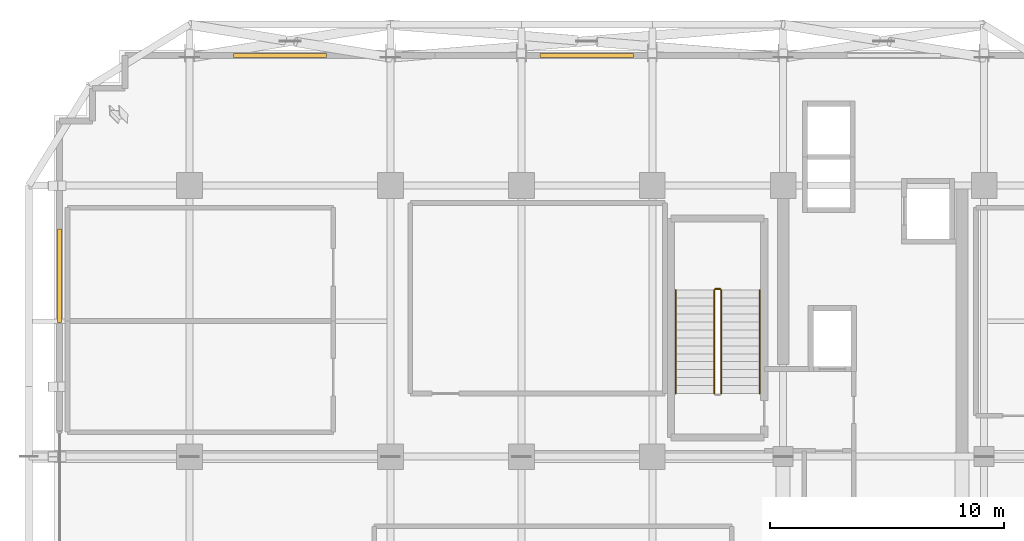
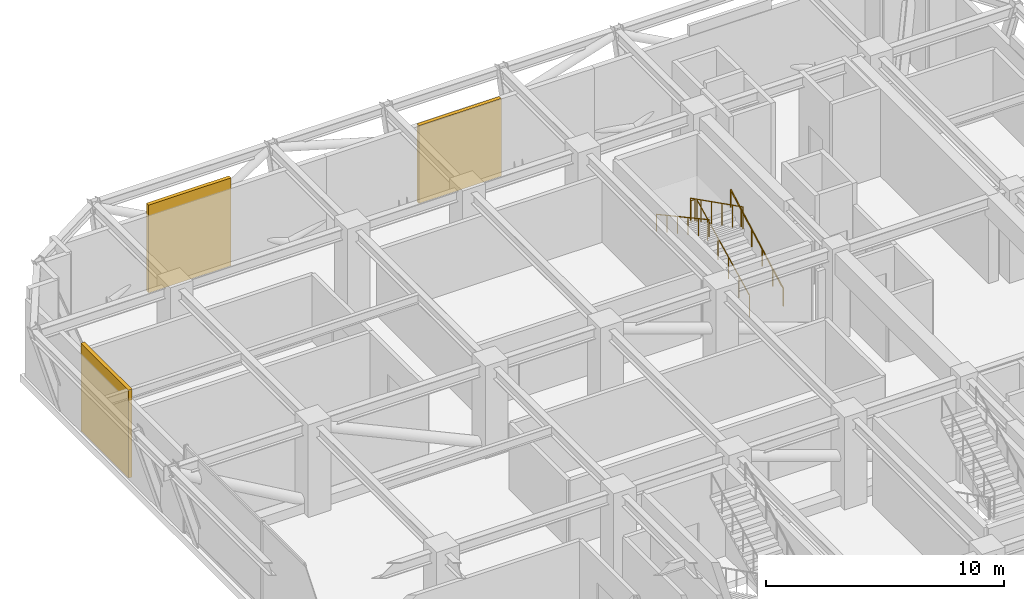
# One storey, part 15 of 16: 5 railings, 3 shading devices.
"""IFC4 building model written with IfcOpenShell, lengths in metres."""

from ifc_helpers import new_model, si_unit, direction, frame, origin, origin_2d, place, context, subcontext, project, spatial, rectangle, circle, extrude, source, transform, mapped, material, layer, layer_set, type_object, element, save


model = new_model("IFC4")

# Units and contexts
model_context = context("Model", 3, precision=1e-05, world=origin(), true_north=direction((0.0, 1.0)))
body_context = subcontext(model_context, "Body", "Model", "MODEL_VIEW")
ifc_project = project(units=[si_unit("LENGTHUNIT", "METRE"), si_unit("AREAUNIT", "SQUARE_METRE"), si_unit("VOLUMEUNIT", "CUBIC_METRE"), si_unit("PLANEANGLEUNIT", "RADIAN"), si_unit("MASSUNIT", "GRAM", prefix="KILO")], contexts=[model_context])

# Site, building, storey
site_placement = place(None, origin())
site = spatial("IfcSite", under=ifc_project, at=site_placement, CompositionType="ELEMENT")
building_placement = place(site_placement, origin())
building = spatial("IfcBuilding", under=site, at=building_placement, Name="Nahalor Promenade Grand Hotel", CompositionType="ELEMENT")
storey_placement = place(building_placement, frame((0.0, 0.0, 200.10009765625)))
storey = spatial("IfcBuildingStorey", under=building, at=storey_placement, Name="L51", CompositionType="ELEMENT", Elevation=200.10009765625)

# Railings
ifc_material_1 = material(Name="Steel S355JR", Category="steel")
railing_type_1 = type_object("IfcRailingType", Name="Steel Stair Guardrail 1150 mm", PredefinedType="GUARDRAIL", material=ifc_material_1)
railing_1_placement = place(storey_placement, frame((5.75, 8.10009765625, 0.17138671875)))
element("IfcRailing", 1, at=railing_1_placement, inside=storey, type_object=railing_type_1, Name="L51 ST1 stair guard 1", PredefinedType="GUARDRAIL", context=body_context, shape_type="SweptSolid", body=[
    extrude(circle(Radius=0.024048, at=origin_2d()), frame((0.0, 0.0, 1.1259765625), z_axis=(0.0, 0.89292277971, 0.450209850486), x_axis=(-1.0, 0.0, 0.0)), (0.0, 0.0, 1.0), 4.949951171875),
    extrude(circle(Radius=0.020996, at=origin_2d()), origin(), (0.0, 0.0, 1.0), 1.099853515625),
    extrude(circle(Radius=0.020996, at=origin_2d()), frame((0.0, 0.884033203125, 0.44580078125)), (0.0, 0.0, 1.0), 1.099853515625),
    extrude(circle(Radius=0.020996, at=origin_2d()), frame((0.0, 1.76806640625, 0.891357421875)), (0.0, 0.0, 1.0), 1.099853515625),
    extrude(circle(Radius=0.020996, at=origin_2d()), frame((0.0, 2.65185546875, 1.337158203125)), (0.0, 0.0, 1.0), 1.099853515625),
    extrude(circle(Radius=0.020996, at=origin_2d()), frame((0.0, 3.535888671875, 1.78271484375)), (0.0, 0.0, 1.0), 1.099853515625),
    extrude(circle(Radius=0.020996, at=origin_2d()), frame((0.0, 4.419921875, 2.228515625)), (0.0, 0.0, 1.0), 1.099853515625),
])
railing_2_placement = place(storey_placement, frame((5.699951171875, 12.570068359375, 2.39990234375)))
element("IfcRailing", 2, at=railing_2_placement, inside=storey, type_object=railing_type_1, Name="L51 ST1 stair guard 2", PredefinedType="GUARDRAIL", context=body_context, shape_type="SweptSolid", body=[
    extrude(circle(Radius=0.024048, at=origin_2d()), frame((0.0, 0.0, 1.1259765625), z_axis=(-1.0, 0.0, 0.0), x_axis=(0.0, -1.0, 0.0)), (0.0, 0.0, 1.0), 0.199951171875),
    extrude(circle(Radius=0.020996, at=origin_2d()), origin(), (0.0, 0.0, 1.0), 1.099853515625),
    extrude(circle(Radius=0.020996, at=origin_2d()), frame((-0.199951171875, 0.0, 0.0)), (0.0, 0.0, 1.0), 1.099853515625),
])
railing_3_placement = place(storey_placement, frame((5.449951171875, 12.52001953125, 2.5712890625)))
element("IfcRailing", 3, at=railing_3_placement, inside=storey, type_object=railing_type_1, Name="L51 ST1 stair guard 3", PredefinedType="GUARDRAIL", context=body_context, shape_type="SweptSolid", body=[
    extrude(circle(Radius=0.024048, at=origin_2d()), frame((0.0, 0.0, 1.1259765625), z_axis=(0.0, -0.89292277971, 0.450209850486), x_axis=(1.0, 0.0, 0.0)), (0.0, 0.0, 1.0), 4.949951171875),
    extrude(circle(Radius=0.020996, at=origin_2d()), origin(), (0.0, 0.0, 1.0), 1.099853515625),
    extrude(circle(Radius=0.020996, at=origin_2d()), frame((0.0, -0.884033203125, 0.44580078125)), (0.0, 0.0, 1.0), 1.099853515625),
    extrude(circle(Radius=0.020996, at=origin_2d()), frame((0.0, -1.76806640625, 0.891357421875)), (0.0, 0.0, 1.0), 1.099853515625),
    extrude(circle(Radius=0.020996, at=origin_2d()), frame((0.0, -2.65185546875, 1.337158203125)), (0.0, 0.0, 1.0), 1.099853515625),
    extrude(circle(Radius=0.020996, at=origin_2d()), frame((0.0, -3.535888671875, 1.78271484375)), (0.0, 0.0, 1.0), 1.099853515625),
    extrude(circle(Radius=0.020996, at=origin_2d()), frame((0.0, -4.419921875, 2.228515625)), (0.0, 0.0, 1.0), 1.099853515625),
])
railing_type_2 = type_object("IfcRailingType", Name="Steel Stair Handrail 900 mm", PredefinedType="HANDRAIL", material=ifc_material_1)
railing_4_placement = place(storey_placement, frame((7.39990234375, 8.10009765625, 0.17138671875)))
element("IfcRailing", 4, at=railing_4_placement, inside=storey, type_object=railing_type_2, Name="L51 ST1 stair handrail 1", PredefinedType="HANDRAIL", context=body_context, shape_type="SweptSolid", body=[
    extrude(circle(Radius=0.024048, at=origin_2d()), frame((0.0, 0.0, 0.8759765625), z_axis=(0.0, 0.878810394976, 0.477171132491), x_axis=(-1.0, 0.0, 0.0)), (0.0, 0.0, 1.0), 5.029541015625),
    extrude(circle(Radius=0.020996, at=origin_2d()), origin(), (0.0, 0.0, 1.0), 0.849853515625),
    extrude(circle(Radius=0.020996, at=origin_2d()), frame((0.0, 0.884033203125, 0.47998046875)), (0.0, 0.0, 1.0), 0.849853515625),
    extrude(circle(Radius=0.020996, at=origin_2d()), frame((0.0, 1.76806640625, 0.9599609375)), (0.0, 0.0, 1.0), 0.849853515625),
    extrude(circle(Radius=0.020996, at=origin_2d()), frame((0.0, 2.65185546875, 1.43994140625)), (0.0, 0.0, 1.0), 0.849853515625),
    extrude(circle(Radius=0.020996, at=origin_2d()), frame((0.0, 3.535888671875, 1.919921875)), (0.0, 0.0, 1.0), 0.849853515625),
    extrude(circle(Radius=0.020996, at=origin_2d()), frame((0.0, 4.419921875, 2.39990234375)), (0.0, 0.0, 1.0), 0.849853515625),
])
railing_5_placement = place(storey_placement, frame((3.800048828125, 12.52001953125, 2.5712890625)))
element("IfcRailing", 5, at=railing_5_placement, inside=storey, type_object=railing_type_2, Name="L51 ST1 stair handrail 2", PredefinedType="HANDRAIL", context=body_context, shape_type="SweptSolid", body=[
    extrude(circle(Radius=0.024048, at=origin_2d()), frame((0.0, 0.0, 0.8759765625), z_axis=(0.0, -0.878790038763, 0.477208620806), x_axis=(1.0, 0.0, 0.0)), (0.0, 0.0, 1.0), 5.029541015625),
    extrude(circle(Radius=0.020996, at=origin_2d()), origin(), (0.0, 0.0, 1.0), 0.849853515625),
    extrude(circle(Radius=0.020996, at=origin_2d()), frame((0.0, -0.884033203125, 0.47998046875)), (0.0, 0.0, 1.0), 0.849853515625),
    extrude(circle(Radius=0.020996, at=origin_2d()), frame((0.0, -1.76806640625, 0.9599609375)), (0.0, 0.0, 1.0), 0.849853515625),
    extrude(circle(Radius=0.020996, at=origin_2d()), frame((0.0, -2.65185546875, 1.440185546875)), (0.0, 0.0, 1.0), 0.849853515625),
    extrude(circle(Radius=0.020996, at=origin_2d()), frame((0.0, -3.535888671875, 1.920166015625)), (0.0, 0.0, 1.0), 0.849853515625),
    extrude(circle(Radius=0.020996, at=origin_2d()), frame((0.0, -4.419921875, 2.400146484375)), (0.0, 0.0, 1.0), 0.849853515625),
])

# Shading devices
ifc_material_2 = material(Name="Anodised Bronze Aluminium EN AW-6063 T6", Category="aluminium")
ifc_layer = layer(ifc_material_2, 0.179931640625)
ifc_layer_set = layer_set([ifc_layer], Name="Anodised Bronze Aluminium EN AW-6063 T6")
shading_device_type = type_object("IfcShadingDeviceType", Name="Shade-PlantLouvre-Bronze", PredefinedType="USERDEFINED", material=ifc_layer_set)
shared_shape_1 = source(origin(), body_context, "Body", "SweptSolid", [
    extrude(rectangle(XDim=4.0, YDim=0.179931640625, at=origin_2d()), origin(), (0.0, 0.0, 1.0), 4.510009765625),
])
for number, where, z_axis, x_axis, name in (
    (6, (-13.1298828125, 22.56005859375, 0.0), (0.0, 0.0, 1.0), (1.0, 0.0, 0.0), "LV-L51-NL"),
    (7, (-22.56005859375, 13.1298828125, 0.0), (0.0, 0.0, 1.0), (0.0, 1.0, 0.0), "LV-L51-WR"),
):
    element("IfcShadingDevice", number, at=place(storey_placement, frame(where, z_axis=z_axis, x_axis=x_axis)), inside=storey, type_object=shading_device_type, Name=name, ObjectType="LOUVRE", PredefinedType="USERDEFINED", context=body_context, shape_type="MappedRepresentation", body=[
        mapped(shared_shape_1, transform((0.0, 0.0, 0.0), scale=1.0)),
    ])
shared_shape_2 = source(origin(), body_context, "Body", "SweptSolid", [
    extrude(rectangle(XDim=4.0, YDim=0.179931640625, at=origin_2d()), origin(), (0.0, 0.0, 1.0), 3.989990234375),
])
shading_device_placement = place(storey_placement, frame((0.0, 22.56005859375, 0.0), z_axis=(0.0, 0.0, 1.0), x_axis=(1.0, 0.0, 0.0)))
element("IfcShadingDevice", 8, at=shading_device_placement, inside=storey, type_object=shading_device_type, Name="LV-L51-NM", ObjectType="LOUVRE", PredefinedType="USERDEFINED", context=body_context, shape_type="MappedRepresentation", body=[
    mapped(shared_shape_2, transform((0.0, 0.0, 0.0), scale=1.0)),
])

save(model, "model.ifc")
